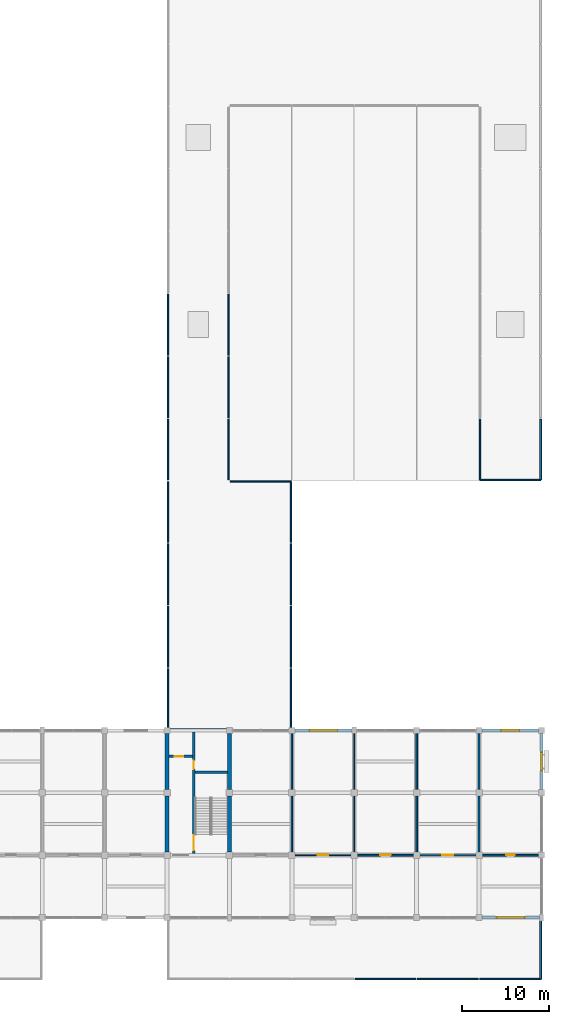
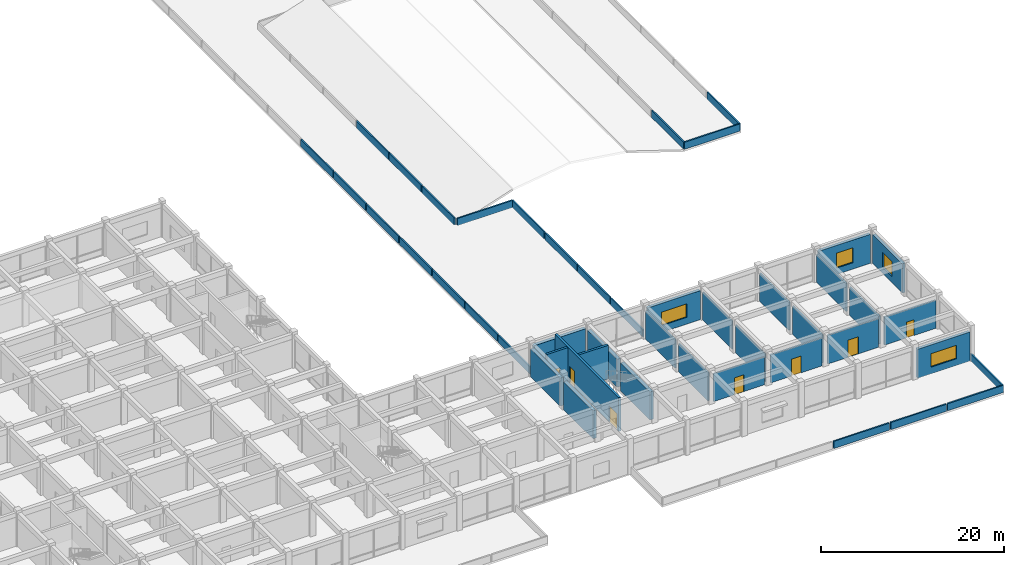
# One storey, part 25 of 30: 46 walls, 7 doors, 4 windows, 11 openings.
"""IFC4 building model written with IfcOpenShell, lengths in metres."""

from ifc_helpers import new_model, si_unit, direction, frame, frame_2d, origin, place, context, subcontext, project, spatial, rectangle, extrude, material, layer, layer_set, type_object, element, fill, save


model = new_model("IFC4")

# Units and contexts
model_context = context("Model", 3, precision=1e-05, world=origin(), true_north=direction((0.0, 1.0)))
body_context = subcontext(model_context, "Body", "Model", "MODEL_VIEW")
ifc_project = project(units=[si_unit("LENGTHUNIT", "METRE"), si_unit("AREAUNIT", "SQUARE_METRE"), si_unit("VOLUMEUNIT", "CUBIC_METRE"), si_unit("PLANEANGLEUNIT", "RADIAN"), si_unit("MASSUNIT", "GRAM", prefix="KILO")], contexts=[model_context])

# Site, building, storey
site_placement = place(None, origin())
site = spatial("IfcSite", under=ifc_project, at=site_placement, CompositionType="ELEMENT")
building_placement = place(site_placement, origin())
building = spatial("IfcBuilding", under=site, at=building_placement, Name="Cendaluz Park School", CompositionType="ELEMENT")
storey_placement = place(building_placement, frame((0.0, 0.0, 9.60009765625)))
storey = spatial("IfcBuildingStorey", under=building, at=storey_placement, Name="L02", CompositionType="ELEMENT", Elevation=9.60009765625)

# Walls
ifc_material_1 = material(Name="Gypsum Plasterboard on Cold-Formed Stud", Category="gypsum")
ifc_layer_1 = layer(ifc_material_1, 0.199951171875)
ifc_layer_set_1 = layer_set([ifc_layer_1], Name="Gypsum Plasterboard on Cold-Formed Stud")
wall_type_1 = type_object("IfcWallType", Name="W-AC20", PredefinedType="PARTITIONING", material=ifc_layer_set_1)
wall_1_placement = place(storey_placement, frame((144.0, 14.77490234375, 0.0), z_axis=(0.0, 0.0, 1.0), x_axis=(0.0, 1.0, 0.0)))
element("IfcWall", 1, at=wall_1_placement, inside=storey, type_object=wall_type_1, Name="WL-FC-CB1", PredefinedType="PARTITIONING", context=body_context, shape_type="SweptSolid", body=[
    extrude(rectangle(XDim=6.4501953125, YDim=0.199951171875, at=frame_2d((3.22509765625, 0.0))), origin(), (0.0, 0.0, 1.0), 3.739990234375),
])
wall_2_placement = place(storey_placement, frame((144.0, 21.97509765625, 0.0), z_axis=(0.0, 0.0, 1.0), x_axis=(0.0, 1.0, 0.0)))
element("IfcWall", 2, at=wall_2_placement, inside=storey, type_object=wall_type_1, Name="WL-FC-CB2", PredefinedType="PARTITIONING", context=body_context, shape_type="SweptSolid", body=[
    extrude(rectangle(XDim=6.474853515625, YDim=0.199951171875, at=frame_2d((3.2373046875, 0.0))), origin(), (0.0, 0.0, 1.0), 3.739990234375),
])

# Wall, opening, door
wall_3_placement = place(storey_placement, frame((151.574951171875, 14.39990234375, 0.0), z_axis=(0.0, 0.0, 1.0), x_axis=(1.0, 0.0, 0.0)))
wall_3 = element("IfcWall", 3, at=wall_3_placement, inside=storey, type_object=wall_type_1, Name="WL-FC-CB6", PredefinedType="PARTITIONING", context=body_context, shape_type="SweptSolid", body=[
    extrude(rectangle(XDim=6.449951171875, YDim=0.199951171875, at=frame_2d((3.22509765625, 0.0))), origin(), (0.0, 0.0, 1.0), 3.739990234375),
])
opening_1_placement = place(wall_3_placement, frame((2.60498046875, 0.0, 0.0)))
opening_1 = element("IfcOpeningElement", 4, at=opening_1_placement, cuts=wall_3, Name="Opening DCL-09", PredefinedType="OPENING", context=body_context, shape_type="SweptSolid", body=[
    extrude(rectangle(XDim=1.239990234375, YDim=2.260009765625, at=frame_2d((0.6201171875, 1.1298828125))), frame((0.0, 0.112060546875, 0.0), z_axis=(0.0, -1.0, 0.0), x_axis=(1.0, 0.0, 0.0)), (0.0, 0.0, 1.0), 0.223876953125),
])
ifc_material_2 = material(Name="Solid Core Hardwood", Category="wood")
door_type_1 = type_object("IfcDoorType", Name="DCL-09", OperationType="NOTDEFINED", PredefinedType="DOOR", material=ifc_material_2)
door_1_placement = place(opening_1_placement, origin())
door_1 = element("IfcDoor", 5, at=door_1_placement, inside=storey, type_object=door_type_1, Name="D-L02-042", OperationType="SINGLE_SWING_RIGHT", OverallHeight=2.260009765625, OverallWidth=1.239990234375, PredefinedType="DOOR", context=body_context, shape_type="SweptSolid", body=[
    extrude(rectangle(XDim=1.239990234375, YDim=2.260009765625, at=frame_2d((0.6201171875, 1.1298828125))), frame((0.0, 0.02490234375, 0.0), z_axis=(0.0, -1.0, 0.0), x_axis=(1.0, 0.0, 0.0)), (0.0, 0.0, 1.0), 0.050048828125),
])
fill(opening_1, door_1)

# Walls
wall_4_placement = place(storey_placement, frame((158.39990234375, 14.77490234375, 0.0), z_axis=(0.0, 0.0, 1.0), x_axis=(0.0, 1.0, 0.0)))
element("IfcWall", 6, at=wall_4_placement, inside=storey, type_object=wall_type_1, Name="WL-FC-CB7", PredefinedType="PARTITIONING", context=body_context, shape_type="SweptSolid", body=[
    extrude(rectangle(XDim=6.4501953125, YDim=0.199951171875, at=frame_2d((3.22509765625, 0.0))), origin(), (0.0, 0.0, 1.0), 3.739990234375),
])
wall_5_placement = place(storey_placement, frame((158.39990234375, 21.97509765625, 0.0), z_axis=(0.0, 0.0, 1.0), x_axis=(0.0, 1.0, 0.0)))
element("IfcWall", 7, at=wall_5_placement, inside=storey, type_object=wall_type_1, Name="WL-FC-CB8", PredefinedType="PARTITIONING", context=body_context, shape_type="SweptSolid", body=[
    extrude(rectangle(XDim=6.474853515625, YDim=0.199951171875, at=frame_2d((3.2373046875, 0.0))), origin(), (0.0, 0.0, 1.0), 3.739990234375),
])

# Wall, opening, door
wall_6_placement = place(storey_placement, frame((158.77490234375, 14.39990234375, 0.0), z_axis=(0.0, 0.0, 1.0), x_axis=(1.0, 0.0, 0.0)))
wall_6 = element("IfcWall", 8, at=wall_6_placement, inside=storey, type_object=wall_type_1, Name="WL-FC-CB9", PredefinedType="PARTITIONING", context=body_context, shape_type="SweptSolid", body=[
    extrude(rectangle(XDim=6.4501953125, YDim=0.199951171875, at=frame_2d((3.22509765625, 0.0))), origin(), (0.0, 0.0, 1.0), 3.809814453125),
])
opening_2_placement = place(wall_6_placement, frame((2.5849609375, 0.0, 0.0)))
opening_2 = element("IfcOpeningElement", 9, at=opening_2_placement, cuts=wall_6, Name="Opening DCL-10", PredefinedType="OPENING", context=body_context, shape_type="SweptSolid", body=[
    extrude(rectangle(XDim=1.280029296875, YDim=2.280029296875, at=frame_2d((0.64013671875, 1.14013671875))), frame((0.0, 0.112060546875, 0.0), z_axis=(0.0, -1.0, 0.0), x_axis=(1.0, 0.0, 0.0)), (0.0, 0.0, 1.0), 0.223876953125),
])
door_type_2 = type_object("IfcDoorType", Name="DCL-10", OperationType="NOTDEFINED", PredefinedType="DOOR", material=ifc_material_2)
door_2_placement = place(opening_2_placement, origin())
door_2 = element("IfcDoor", 10, at=door_2_placement, inside=storey, type_object=door_type_2, Name="D-L02-043", OperationType="SINGLE_SWING_LEFT", OverallHeight=2.280029296875, OverallWidth=1.280029296875, PredefinedType="DOOR", context=body_context, shape_type="SweptSolid", body=[
    extrude(rectangle(XDim=1.280029296875, YDim=2.280029296875, at=frame_2d((0.64013671875, 1.14013671875))), frame((0.0, 0.02490234375, 0.0), z_axis=(0.0, -1.0, 0.0), x_axis=(1.0, 0.0, 0.0)), (0.0, 0.0, 1.0), 0.050048828125),
])
fill(opening_2, door_2)

# Walls
wall_7_placement = place(storey_placement, frame((165.60009765625, 14.77490234375, 0.0), z_axis=(0.0, 0.0, 1.0), x_axis=(0.0, 1.0, 0.0)))
element("IfcWall", 11, at=wall_7_placement, inside=storey, type_object=wall_type_1, Name="WL-FC-CC0", PredefinedType="PARTITIONING", context=body_context, shape_type="SweptSolid", body=[
    extrude(rectangle(XDim=6.4501953125, YDim=0.199951171875, at=frame_2d((3.22509765625, 0.0))), origin(), (0.0, 0.0, 1.0), 3.739990234375),
])
wall_8_placement = place(storey_placement, frame((165.60009765625, 21.97509765625, 0.0), z_axis=(0.0, 0.0, 1.0), x_axis=(0.0, 1.0, 0.0)))
element("IfcWall", 12, at=wall_8_placement, inside=storey, type_object=wall_type_1, Name="WL-FC-CC1", PredefinedType="PARTITIONING", context=body_context, shape_type="SweptSolid", body=[
    extrude(rectangle(XDim=6.474853515625, YDim=0.199951171875, at=frame_2d((3.2373046875, 0.0))), origin(), (0.0, 0.0, 1.0), 3.739990234375),
])

# Wall, opening, door
wall_9_placement = place(storey_placement, frame((165.97509765625, 14.39990234375, 0.0), z_axis=(0.0, 0.0, 1.0), x_axis=(1.0, 0.0, 0.0)))
wall_9 = element("IfcWall", 13, at=wall_9_placement, inside=storey, type_object=wall_type_1, Name="WL-FC-CC2", PredefinedType="PARTITIONING", context=body_context, shape_type="SweptSolid", body=[
    extrude(rectangle(XDim=6.474853515625, YDim=0.199951171875, at=frame_2d((3.2373046875, 0.0))), origin(), (0.0, 0.0, 1.0), 3.739990234375),
])
opening_3_placement = place(wall_9_placement, frame((2.737548828125, 0.0, 0.0)))
opening_3 = element("IfcOpeningElement", 14, at=opening_3_placement, cuts=wall_9, Name="Opening DCL-01", PredefinedType="OPENING", context=body_context, shape_type="SweptSolid", body=[
    extrude(rectangle(XDim=1.0, YDim=2.10009765625, at=frame_2d((0.5, 1.050048828125))), frame((0.0, 0.112060546875, 0.0), z_axis=(0.0, -1.0, 0.0), x_axis=(1.0, 0.0, 0.0)), (0.0, 0.0, 1.0), 0.223876953125),
])
door_type_3 = type_object("IfcDoorType", Name="DCL-01", OperationType="NOTDEFINED", PredefinedType="DOOR", material=ifc_material_2)
door_3_placement = place(opening_3_placement, origin())
door_3 = element("IfcDoor", 15, at=door_3_placement, inside=storey, type_object=door_type_3, Name="D-L02-044", OperationType="SINGLE_SWING_RIGHT", OverallHeight=2.10009765625, OverallWidth=1.0, PredefinedType="DOOR", context=body_context, shape_type="SweptSolid", body=[
    extrude(rectangle(XDim=1.0, YDim=2.10009765625, at=frame_2d((0.5, 1.050048828125))), frame((0.0, 0.02490234375, 0.0), z_axis=(0.0, -1.0, 0.0), x_axis=(1.0, 0.0, 0.0)), (0.0, 0.0, 1.0), 0.050048828125),
])
fill(opening_3, door_3)

# Wall, opening, window
ifc_material_3 = material(Name="Concrete C40/50 precast", Category="concrete")
ifc_layer_2 = layer(ifc_material_3, 0.360107421875)
ifc_layer_set_2 = layer_set([ifc_layer_2], Name="Concrete C40/50 precast")
wall_type_2 = type_object("IfcWallType", Name="W-EX36", PredefinedType="SOLIDWALL", material=ifc_layer_set_2)
wall_10_placement = place(storey_placement, frame((144.35009765625, 28.800048828125, 0.0), z_axis=(0.0, 0.0, 1.0), x_axis=(1.0, 0.0, 0.0)))
wall_10 = element("IfcWall", 16, at=wall_10_placement, inside=storey, type_object=wall_type_2, Name="WL-FC-AB5", PredefinedType="SOLIDWALL", context=body_context, shape_type="SweptSolid", body=[
    extrude(rectangle(XDim=6.599853515625, YDim=0.360107421875, at=frame_2d((3.2998046875, 0.0))), origin(), (0.0, 0.0, 1.0), 3.8798828125),
])
opening_4_placement = place(wall_10_placement, frame((1.699951171875, 0.0, 0.89990234375)))
opening_4 = element("IfcOpeningElement", 17, at=opening_4_placement, cuts=wall_10, Name="Opening WN-08", PredefinedType="OPENING", context=body_context, shape_type="SweptSolid", body=[
    extrude(rectangle(XDim=3.199951171875, YDim=1.800048828125, at=frame_2d((1.60009765625, 0.89990234375))), frame((0.0, 0.192138671875, 0.0), z_axis=(0.0, -1.0, 0.0), x_axis=(1.0, 0.0, 0.0)), (0.0, 0.0, 1.0), 0.384033203125),
])
ifc_material_4 = material(Name="Tempered Low-E Double Glazing", Category="glass")
window_type_1 = type_object("IfcWindowType", Name="WN-08", PartitioningType="SINGLE_PANEL", PredefinedType="WINDOW", material=ifc_material_4)
window_1_placement = place(opening_4_placement, origin())
window_1 = element("IfcWindow", 18, at=window_1_placement, inside=storey, type_object=window_type_1, Name="WN-L02-016", OverallHeight=1.800048828125, OverallWidth=3.199951171875, PartitioningType="SINGLE_PANEL", PredefinedType="WINDOW", context=body_context, shape_type="SweptSolid", body=[
    extrude(rectangle(XDim=3.199951171875, YDim=1.800048828125, at=frame_2d((1.60009765625, 0.89990234375))), frame((0.0, 0.030029296875, 0.0), z_axis=(0.0, -1.0, 0.0), x_axis=(1.0, 0.0, 0.0)), (0.0, 0.0, 1.0), 0.06005859375),
])
fill(opening_4, window_1)

wall_11_placement = place(storey_placement, frame((165.949951171875, 7.199951171875, 0.0), z_axis=(0.0, 0.0, 1.0), x_axis=(1.0, 0.0, 0.0)))
wall_11 = element("IfcWall", 19, at=wall_11_placement, inside=storey, type_object=wall_type_2, Name="WL-FC-AB6", PredefinedType="SOLIDWALL", context=body_context, shape_type="SweptSolid", body=[
    extrude(rectangle(XDim=6.60009765625, YDim=0.360107421875, at=frame_2d((3.300048828125, 0.0))), origin(), (0.0, 0.0, 1.0), 3.8798828125),
])
opening_5_placement = place(wall_11_placement, frame((1.699951171875, 0.0, 0.89990234375)))
opening_5 = element("IfcOpeningElement", 20, at=opening_5_placement, cuts=wall_11, Name="Opening WN-08", PredefinedType="OPENING", context=body_context, shape_type="SweptSolid", body=[
    extrude(rectangle(XDim=3.199951171875, YDim=1.800048828125, at=frame_2d((1.60009765625, 0.89990234375))), frame((0.0, 0.192138671875, 0.0), z_axis=(0.0, -1.0, 0.0), x_axis=(1.0, 0.0, 0.0)), (0.0, 0.0, 1.0), 0.384033203125),
])
window_2_placement = place(opening_5_placement, origin())
window_2 = element("IfcWindow", 21, at=window_2_placement, inside=storey, type_object=window_type_1, Name="WN-L02-017", OverallHeight=1.800048828125, OverallWidth=3.199951171875, PartitioningType="SINGLE_PANEL", PredefinedType="WINDOW", context=body_context, shape_type="SweptSolid", body=[
    extrude(rectangle(XDim=3.199951171875, YDim=1.800048828125, at=frame_2d((1.60009765625, 0.89990234375))), frame((0.0, 0.030029296875, 0.0), z_axis=(0.0, -1.0, 0.0), x_axis=(1.0, 0.0, 0.0)), (0.0, 0.0, 1.0), 0.06005859375),
])
fill(opening_5, window_2)

wall_12_placement = place(storey_placement, frame((165.949951171875, 28.800048828125, 0.0), z_axis=(0.0, 0.0, 1.0), x_axis=(1.0, 0.0, 0.0)))
wall_12 = element("IfcWall", 22, at=wall_12_placement, inside=storey, type_object=wall_type_2, Name="WL-FC-AB7", PredefinedType="SOLIDWALL", context=body_context, shape_type="SweptSolid", body=[
    extrude(rectangle(XDim=6.5, YDim=0.360107421875, at=frame_2d((3.25, 0.0))), origin(), (0.0, 0.0, 1.0), 3.8798828125),
])
opening_6_placement = place(wall_12_placement, frame((2.199951171875, 0.0, 0.85009765625)))
opening_6 = element("IfcOpeningElement", 23, at=opening_6_placement, cuts=wall_12, Name="Opening WN-11", PredefinedType="OPENING", context=body_context, shape_type="SweptSolid", body=[
    extrude(rectangle(XDim=2.10009765625, YDim=2.0, at=frame_2d((1.050048828125, 1.0))), frame((0.0, 0.192138671875, 0.0), z_axis=(0.0, -1.0, 0.0), x_axis=(1.0, 0.0, 0.0)), (0.0, 0.0, 1.0), 0.384033203125),
])
window_type_2 = type_object("IfcWindowType", Name="WN-11", PartitioningType="SINGLE_PANEL", PredefinedType="WINDOW", material=ifc_material_4)
window_3_placement = place(opening_6_placement, origin())
window_3 = element("IfcWindow", 24, at=window_3_placement, inside=storey, type_object=window_type_2, Name="WN-L02-018", OverallHeight=2.0, OverallWidth=2.10009765625, PartitioningType="SINGLE_PANEL", PredefinedType="WINDOW", context=body_context, shape_type="SweptSolid", body=[
    extrude(rectangle(XDim=2.10009765625, YDim=2.0, at=frame_2d((1.050048828125, 1.0))), frame((0.0, 0.030029296875, 0.0), z_axis=(0.0, -1.0, 0.0), x_axis=(1.0, 0.0, 0.0)), (0.0, 0.0, 1.0), 0.06005859375),
])
fill(opening_6, window_3)

wall_13_placement = place(storey_placement, frame((172.800048828125, 21.949951171875, 0.0), z_axis=(0.0, 0.0, 1.0), x_axis=(0.0, 1.0, 0.0)))
wall_13 = element("IfcWall", 25, at=wall_13_placement, inside=storey, type_object=wall_type_2, Name="WL-FC-AB8", PredefinedType="SOLIDWALL", context=body_context, shape_type="SweptSolid", body=[
    extrude(rectangle(XDim=6.5, YDim=0.360107421875, at=frame_2d((3.25, 0.0))), origin(), (0.0, 0.0, 1.0), 3.8798828125),
])
opening_7_placement = place(wall_13_placement, frame((2.199951171875, 0.0, 0.85009765625)))
opening_7 = element("IfcOpeningElement", 26, at=opening_7_placement, cuts=wall_13, Name="Opening WN-11", PredefinedType="OPENING", context=body_context, shape_type="SweptSolid", body=[
    extrude(rectangle(XDim=2.10009765625, YDim=2.0, at=frame_2d((1.050048828125, 1.0))), frame((0.0, 0.192138671875, 0.0), z_axis=(0.0, -1.0, 0.0), x_axis=(1.0, 0.0, 0.0)), (0.0, 0.0, 1.0), 0.384033203125),
])
window_4_placement = place(opening_7_placement, origin())
window_4 = element("IfcWindow", 27, at=window_4_placement, inside=storey, type_object=window_type_2, Name="WN-L02-019", OverallHeight=2.0, OverallWidth=2.10009765625, PartitioningType="SINGLE_PANEL", PredefinedType="WINDOW", context=body_context, shape_type="SweptSolid", body=[
    extrude(rectangle(XDim=2.10009765625, YDim=2.0, at=frame_2d((1.050048828125, 1.0))), frame((0.0, 0.030029296875, 0.0), z_axis=(0.0, -1.0, 0.0), x_axis=(1.0, 0.0, 0.0)), (0.0, 0.0, 1.0), 0.06005859375),
])
fill(opening_7, window_4)

# Wall, openings, doors
ifc_material_5 = material(Name="Concrete C40/50", Category="concrete")
ifc_layer_3 = layer(ifc_material_5, 0.280029296875)
ifc_layer_set_3 = layer_set([ifc_layer_3], Name="Concrete C40/50")
wall_type_3 = type_object("IfcWallType", Name="W-FW28", PredefinedType="SHEAR", material=ifc_layer_set_3)
wall_14_placement = place(storey_placement, frame((132.679931640625, 14.60009765625, 0.0), z_axis=(0.0, 0.0, 1.0), x_axis=(0.0, 1.0, 0.0)))
wall_14 = element("IfcWall", 28, at=wall_14_placement, inside=storey, type_object=wall_type_3, Name="WL-FC-BX2", PredefinedType="SHEAR", context=body_context, shape_type="SweptSolid", body=[
    extrude(rectangle(XDim=14.0, YDim=0.280029296875, at=frame_2d((7.0, 0.0))), origin(), (0.0, 0.0, 1.0), 4.510009765625),
])
opening_8_placement = place(wall_14_placement, frame((0.35009765625, 0.0, 0.0)))
opening_8 = element("IfcOpeningElement", 29, at=opening_8_placement, cuts=wall_14, Name="Opening DST-03", PredefinedType="OPENING", context=body_context, shape_type="SweptSolid", body=[
    extrude(rectangle(XDim=1.75, YDim=2.14990234375, at=frame_2d((0.875, 1.074951171875))), frame((0.0, 0.152099609375, 0.0), z_axis=(0.0, -1.0, 0.0), x_axis=(1.0, 0.0, 0.0)), (0.0, 0.0, 1.0), 0.303955078125),
])
opening_9_placement = place(wall_14_placement, frame((9.719970703125, 0.0, 0.0)))
opening_9 = element("IfcOpeningElement", 30, at=opening_9_placement, cuts=wall_14, Name="Opening DFC-01", PredefinedType="OPENING", context=body_context, shape_type="SweptSolid", body=[
    extrude(rectangle(XDim=1.0, YDim=2.14990234375, at=frame_2d((0.5, 1.074951171875))), frame((0.0, 0.152099609375, 0.0), z_axis=(0.0, -1.0, 0.0), x_axis=(1.0, 0.0, 0.0)), (0.0, 0.0, 1.0), 0.303955078125),
])
door_type_4 = type_object("IfcDoorType", Name="DFC-01", OperationType="NOTDEFINED", PredefinedType="DOOR", material=ifc_material_2)
door_4_placement = place(opening_9_placement, frame((1.0, 0.0, 0.0), z_axis=(0.0, 0.0, 1.0), x_axis=(-1.0, 0.0, 0.0)))
door_4 = element("IfcDoor", 31, at=door_4_placement, inside=storey, type_object=door_type_4, Name="D-L02-025", OperationType="SINGLE_SWING_LEFT", OverallHeight=2.14990234375, OverallWidth=1.0, PredefinedType="DOOR", context=body_context, shape_type="SweptSolid", body=[
    extrude(rectangle(XDim=1.0, YDim=2.14990234375, at=frame_2d((0.5, 1.074951171875))), frame((0.0, 0.02490234375, 0.0), z_axis=(0.0, -1.0, 0.0), x_axis=(1.0, 0.0, 0.0)), (0.0, 0.0, 1.0), 0.050048828125),
])
fill(opening_9, door_4)
door_type_5 = type_object("IfcDoorType", Name="DST-03", OperationType="DOUBLE_DOOR_SINGLE_SWING", PredefinedType="DOOR", material=ifc_material_2)
door_5_placement = place(opening_8_placement, frame((1.75, 0.0, 0.0), z_axis=(0.0, 0.0, 1.0), x_axis=(-1.0, 0.0, 0.0)))
door_5 = element("IfcDoor", 32, at=door_5_placement, inside=storey, type_object=door_type_5, Name="D-L02-024", OperationType="DOUBLE_DOOR_SINGLE_SWING", OverallHeight=2.14990234375, OverallWidth=1.75, PredefinedType="DOOR", context=body_context, shape_type="SweptSolid", body=[
    extrude(rectangle(XDim=1.75, YDim=2.14990234375, at=frame_2d((0.875, 1.074951171875))), frame((0.0, 0.02490234375, 0.0), z_axis=(0.0, -1.0, 0.0), x_axis=(1.0, 0.0, 0.0)), (0.0, 0.0, 1.0), 0.050048828125),
])
fill(opening_8, door_5)

# Wall
wall_15_placement = place(storey_placement, frame((132.820068359375, 23.97998046875, 0.0), z_axis=(0.0, 0.0, 1.0), x_axis=(1.0, 0.0, 0.0)))
element("IfcWall", 33, at=wall_15_placement, inside=storey, type_object=wall_type_3, Name="WL-FC-BX3", PredefinedType="SHEAR", context=body_context, shape_type="SweptSolid", body=[
    extrude(rectangle(XDim=3.780029296875, YDim=0.280029296875, at=frame_2d((1.89013671875, 0.0))), origin(), (0.0, 0.0, 1.0), 4.510009765625),
])

# Wall, opening, door
wall_16_placement = place(storey_placement, frame((129.840087890625, 25.800048828125, 0.0), z_axis=(0.0, 0.0, 1.0), x_axis=(1.0, 0.0, 0.0)))
wall_16 = element("IfcWall", 34, at=wall_16_placement, inside=storey, type_object=wall_type_3, Name="WL-FC-BX4", PredefinedType="SHEAR", context=body_context, shape_type="SweptSolid", body=[
    extrude(rectangle(XDim=2.679931640625, YDim=0.280029296875, at=frame_2d((1.33984375, 0.0))), origin(), (0.0, 0.0, 1.0), 4.510009765625),
])
opening_10_placement = place(wall_16_placement, frame((0.64990234375, 0.0, 0.0)))
opening_10 = element("IfcOpeningElement", 35, at=opening_10_placement, cuts=wall_16, Name="Opening DFC-01", PredefinedType="OPENING", context=body_context, shape_type="SweptSolid", body=[
    extrude(rectangle(XDim=1.0, YDim=2.14990234375, at=frame_2d((0.5, 1.074951171875))), frame((0.0, 0.152099609375, 0.0), z_axis=(0.0, -1.0, 0.0), x_axis=(1.0, 0.0, 0.0)), (0.0, 0.0, 1.0), 0.303955078125),
])
door_6_placement = place(opening_10_placement, frame((1.0, 0.0, 0.0), z_axis=(0.0, 0.0, 1.0), x_axis=(-1.0, 0.0, 0.0)))
door_6 = element("IfcDoor", 36, at=door_6_placement, inside=storey, type_object=door_type_4, Name="D-L02-026", OperationType="SINGLE_SWING_RIGHT", OverallHeight=2.14990234375, OverallWidth=1.0, PredefinedType="DOOR", context=body_context, shape_type="SweptSolid", body=[
    extrude(rectangle(XDim=1.0, YDim=2.14990234375, at=frame_2d((0.5, 1.074951171875))), frame((0.0, 0.02490234375, 0.0), z_axis=(0.0, -1.0, 0.0), x_axis=(1.0, 0.0, 0.0)), (0.0, 0.0, 1.0), 0.050048828125),
])
fill(opening_10, door_6)

ifc_layer_4 = layer(ifc_material_1, 0.1201171875)
ifc_layer_set_4 = layer_set([ifc_layer_4], Name="Gypsum Plasterboard on Cold-Formed Stud")
wall_type_4 = type_object("IfcWallType", Name="W-MV12", PredefinedType="MOVABLE", material=ifc_layer_set_4)
wall_17_placement = place(storey_placement, frame((144.375, 14.39990234375, 0.0), z_axis=(0.0, 0.0, 1.0), x_axis=(1.0, 0.0, 0.0)))
wall_17 = element("IfcWall", 37, at=wall_17_placement, inside=storey, type_object=wall_type_4, Name="WL-FC-CB3", PredefinedType="MOVABLE", context=body_context, shape_type="SweptSolid", body=[
    extrude(rectangle(XDim=6.449951171875, YDim=0.1201171875, at=frame_2d((3.22509765625, 0.0))), origin(), (0.0, 0.0, 1.0), 3.739990234375),
])
opening_11_placement = place(wall_17_placement, frame((2.625, 0.0, 0.0)))
opening_11 = element("IfcOpeningElement", 38, at=opening_11_placement, cuts=wall_17, Name="Opening DCL-08", PredefinedType="OPENING", context=body_context, shape_type="SweptSolid", body=[
    extrude(rectangle(XDim=1.199951171875, YDim=2.239990234375, at=frame_2d((0.60009765625, 1.1201171875))), frame((0.0, 0.072021484375, 0.0), z_axis=(0.0, -1.0, 0.0), x_axis=(1.0, 0.0, 0.0)), (0.0, 0.0, 1.0), 0.14404296875),
])
door_type_6 = type_object("IfcDoorType", Name="DCL-08", OperationType="NOTDEFINED", PredefinedType="DOOR", material=ifc_material_2)
door_7_placement = place(opening_11_placement, origin())
door_7 = element("IfcDoor", 39, at=door_7_placement, inside=storey, type_object=door_type_6, Name="D-L02-041", OperationType="SINGLE_SWING_LEFT", OverallHeight=2.239990234375, OverallWidth=1.199951171875, PredefinedType="DOOR", context=body_context, shape_type="SweptSolid", body=[
    extrude(rectangle(XDim=1.199951171875, YDim=2.239990234375, at=frame_2d((0.60009765625, 1.1201171875))), frame((0.0, 0.02490234375, 0.0), z_axis=(0.0, -1.0, 0.0), x_axis=(1.0, 0.0, 0.0)), (0.0, 0.0, 1.0), 0.050048828125),
])
fill(opening_11, door_7)

# Walls
wall_18_placement = place(storey_placement, frame((151.199951171875, 14.77490234375, 0.0), z_axis=(0.0, 0.0, 1.0), x_axis=(0.0, 1.0, 0.0)))
element("IfcWall", 40, at=wall_18_placement, inside=storey, type_object=wall_type_4, Name="WL-FC-CB4", PredefinedType="MOVABLE", context=body_context, shape_type="SweptSolid", body=[
    extrude(rectangle(XDim=6.4501953125, YDim=0.1201171875, at=frame_2d((3.22509765625, 0.0))), origin(), (0.0, 0.0, 1.0), 3.739990234375),
])
wall_19_placement = place(storey_placement, frame((151.199951171875, 21.97509765625, 0.0), z_axis=(0.0, 0.0, 1.0), x_axis=(0.0, 1.0, 0.0)))
element("IfcWall", 41, at=wall_19_placement, inside=storey, type_object=wall_type_4, Name="WL-FC-CB5", PredefinedType="MOVABLE", context=body_context, shape_type="SweptSolid", body=[
    extrude(rectangle(XDim=6.449951171875, YDim=0.1201171875, at=frame_2d((3.22509765625, 0.0))), origin(), (0.0, 0.0, 1.0), 3.739990234375),
])
ifc_layer_5 = layer(ifc_material_3, 0.179931640625)
ifc_layer_set_5 = layer_set([ifc_layer_5], Name="Concrete C40/50 precast")
wall_type_5 = type_object("IfcWallType", Name="W-PR18", PredefinedType="PARAPET", material=ifc_layer_set_5)
for number, where, z_axis, x_axis, name in (
    (42, (129.68994140625, 28.889892578125, 0.0), (0.0, 0.0, 1.0), (0.0, 1.0, 0.0), "WL-FC-AI7"),
    (43, (129.68994140625, 36.090087890625, 0.0), (0.0, 0.0, 1.0), (0.0, 1.0, 0.0), "WL-FC-AI8"),
    (44, (129.68994140625, 43.2900390625, 0.0), (0.0, 0.0, 1.0), (0.0, 1.0, 0.0), "WL-FC-AI9"),
    (45, (129.68994140625, 50.489990234375, 0.0), (0.0, 0.0, 1.0), (0.0, 1.0, 0.0), "WL-FC-AJ0"),
    (46, (129.68994140625, 57.68994140625, 0.0), (0.0, 0.0, 1.0), (0.0, 1.0, 0.0), "WL-FC-AJ1"),
    (47, (136.7099609375, 57.68994140625, 0.0), (0.0, 0.0, 1.0), (0.0, 1.0, 0.0), "WL-FC-AJ2"),
    (48, (129.68994140625, 64.889892578125, 0.0), (0.0, 0.0, 1.0), (0.0, 1.0, 0.0), "WL-FC-AJ3"),
    (49, (136.7099609375, 64.889892578125, 0.0), (0.0, 0.0, 1.0), (0.0, 1.0, 0.0), "WL-FC-AJ4"),
    (50, (129.68994140625, 72.090087890625, 0.0), (0.0, 0.0, 1.0), (0.0, 1.0, 0.0), "WL-FC-AJ5"),
    (51, (136.7099609375, 72.090087890625, 0.0), (0.0, 0.0, 1.0), (0.0, 1.0, 0.0), "WL-FC-AJ6"),
    (52, (143.909912109375, 28.889892578125, 0.0), (0.0, 0.0, 1.0), (0.0, 1.0, 0.0), "WL-FC-AK7"),
    (53, (143.909912109375, 36.090087890625, 0.0), (0.0, 0.0, 1.0), (0.0, 1.0, 0.0), "WL-FC-AK8"),
    (54, (143.909912109375, 43.2900390625, 0.0), (0.0, 0.0, 1.0), (0.0, 1.0, 0.0), "WL-FC-AK9"),
    (55, (136.889892578125, 57.510009765625, 0.0), (0.0, 0.0, 1.0), (1.0, 0.0, 0.0), "WL-FC-AL0"),
    (56, (143.909912109375, 50.489990234375, 0.0), (0.0, 0.0, 1.0), (0.0, 1.0, 0.0), "WL-FC-AL1"),
    (57, (151.2900390625, 0.090087890625, 0.0), (0.0, 0.0, 1.0), (1.0, 0.0, 0.0), "WL-FC-AL7"),
    (58, (158.489990234375, 0.090087890625, 0.0), (0.0, 0.0, 1.0), (1.0, 0.0, 0.0), "WL-FC-AM0"),
    (59, (165.68994140625, 0.090087890625, 0.0), (0.0, 0.0, 1.0), (1.0, 0.0, 0.0), "WL-FC-AM3"),
    (60, (172.7099609375, 0.090087890625, 0.0), (0.0, 0.0, 1.0), (0.0, 1.0, 0.0), "WL-FC-AM4"),
    (61, (165.68994140625, 57.68994140625, 0.0), (0.0, 0.0, 1.0), (1.0, 0.0, 0.0), "WL-FC-AM5"),
    (62, (165.68994140625, 57.68994140625, 0.0), (0.0, 0.0, 1.0), (0.0, 1.0, 0.0), "WL-FC-AM6"),
    (63, (172.7099609375, 57.68994140625, 0.0), (0.0, 0.0, 1.0), (0.0, 1.0, 0.0), "WL-FC-AM7"),
):
    element("IfcWall", number, at=place(storey_placement, frame(where, z_axis=z_axis, x_axis=x_axis)), inside=storey, type_object=wall_type_5, Name=name, PredefinedType="PARAPET", context=body_context, shape_type="SweptSolid", body=[
        extrude(rectangle(XDim=7.02001953125, YDim=0.179931640625, at=frame_2d((3.510009765625, 0.0))), origin(), (0.0, 0.0, 1.0), 0.949951171875),
    ])
ifc_layer_6 = layer(ifc_material_5, 0.419921875)
ifc_layer_set_6 = layer_set([ifc_layer_6], Name="Concrete C40/50")
wall_type_6 = type_object("IfcWallType", Name="W-SH42", PredefinedType="SHEAR", material=ifc_layer_set_6)
wall_20_placement = place(storey_placement, frame((129.60009765625, 14.77490234375, 0.0), z_axis=(0.0, 0.0, 1.0), x_axis=(0.0, 1.0, 0.0)))
element("IfcWall", 64, at=wall_20_placement, inside=storey, type_object=wall_type_6, Name="WL-FC-BW6", PredefinedType="SHEAR", context=body_context, shape_type="SweptSolid", body=[
    extrude(rectangle(XDim=6.4501953125, YDim=0.419921875, at=frame_2d((3.22509765625, 0.0))), origin(), (0.0, 0.0, 1.0), 3.739990234375),
])
wall_21_placement = place(storey_placement, frame((129.60009765625, 21.97509765625, 0.0), z_axis=(0.0, 0.0, 1.0), x_axis=(0.0, 1.0, 0.0)))
element("IfcWall", 65, at=wall_21_placement, inside=storey, type_object=wall_type_6, Name="WL-FC-BW7", PredefinedType="SHEAR", context=body_context, shape_type="SweptSolid", body=[
    extrude(rectangle(XDim=6.474853515625, YDim=0.419921875, at=frame_2d((3.2373046875, 0.0))), origin(), (0.0, 0.0, 1.0), 3.739990234375),
])
wall_22_placement = place(storey_placement, frame((136.800048828125, 14.77490234375, 0.0), z_axis=(0.0, 0.0, 1.0), x_axis=(0.0, 1.0, 0.0)))
element("IfcWall", 66, at=wall_22_placement, inside=storey, type_object=wall_type_6, Name="WL-FC-BW8", PredefinedType="SHEAR", context=body_context, shape_type="SweptSolid", body=[
    extrude(rectangle(XDim=6.4501953125, YDim=0.419921875, at=frame_2d((3.22509765625, 0.0))), origin(), (0.0, 0.0, 1.0), 3.739990234375),
])
wall_23_placement = place(storey_placement, frame((136.800048828125, 21.97509765625, 0.0), z_axis=(0.0, 0.0, 1.0), x_axis=(0.0, 1.0, 0.0)))
element("IfcWall", 67, at=wall_23_placement, inside=storey, type_object=wall_type_6, Name="WL-FC-BW9", PredefinedType="SHEAR", context=body_context, shape_type="SweptSolid", body=[
    extrude(rectangle(XDim=6.474853515625, YDim=0.419921875, at=frame_2d((3.2373046875, 0.0))), origin(), (0.0, 0.0, 1.0), 3.739990234375),
])
wall_24_placement = place(storey_placement, frame((129.949951171875, 28.800048828125, 0.0), z_axis=(0.0, 0.0, 1.0), x_axis=(1.0, 0.0, 0.0)))
element("IfcWall", 68, at=wall_24_placement, inside=storey, type_object=wall_type_6, Name="WL-FC-BX1", PredefinedType="SHEAR", context=body_context, shape_type="SweptSolid", body=[
    extrude(rectangle(XDim=6.5, YDim=0.419921875, at=frame_2d((3.25, 0.0))), origin(), (0.0, 0.0, 1.0), 3.8798828125),
])

save(model, "model.ifc")
